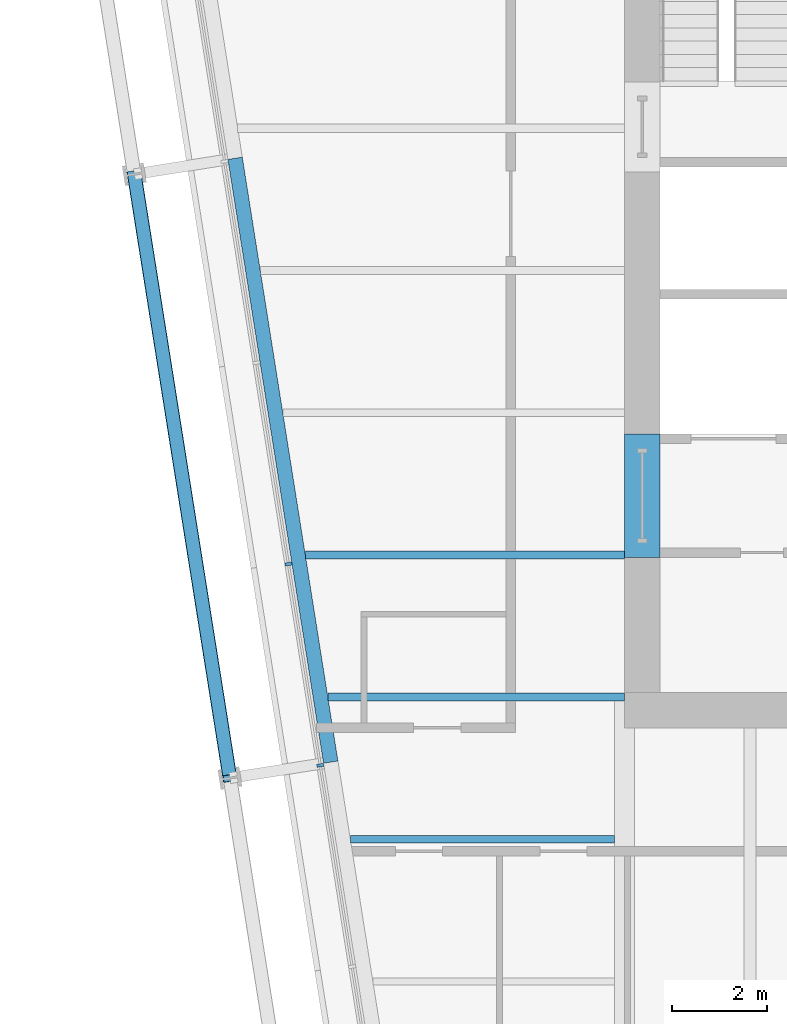
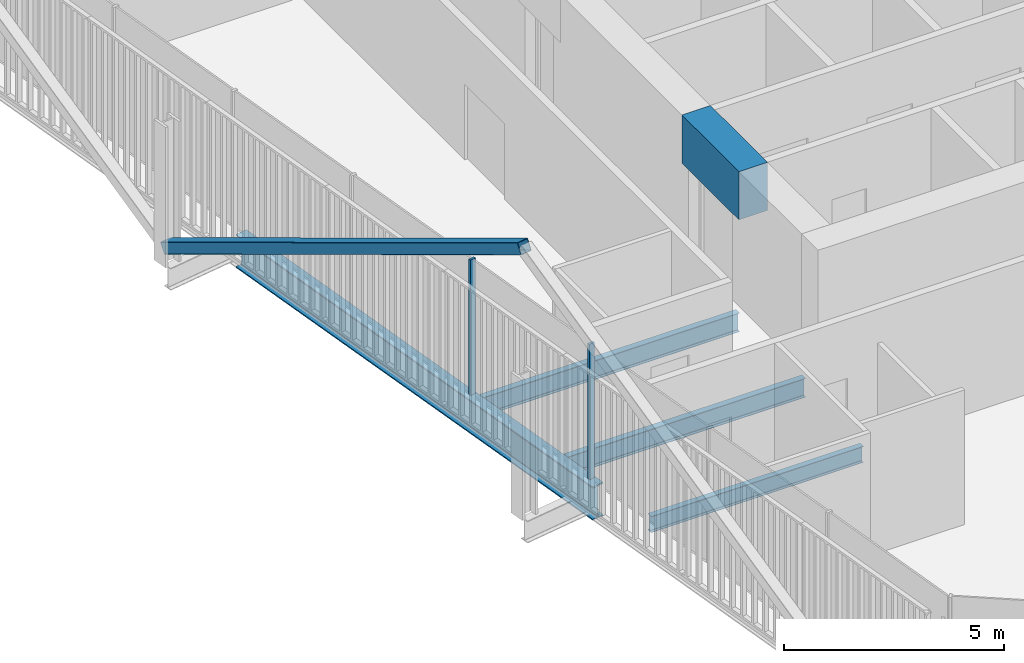
# One storey, part 4 of 22: 5 beams, 3 members, 1 element without a shape of its own.
"""IFC4 building model written with IfcOpenShell, lengths in metres."""

from ifc_helpers import new_model, si_unit, direction, frame, origin, origin_2d, place, context, subcontext, project, spatial, rectangle, hollow_rectangle, i_section, extrude, material, layer, layer_set, material_profile, profile_set, type_object, element, aggregate, save


model = new_model("IFC4")

# Units and contexts
model_context = context("Model", 3, precision=1e-05, world=origin(), true_north=direction((0.0, 1.0)))
body_context = subcontext(model_context, "Body", "Model", "MODEL_VIEW")
ifc_project = project(units=[si_unit("LENGTHUNIT", "METRE"), si_unit("AREAUNIT", "SQUARE_METRE"), si_unit("VOLUMEUNIT", "CUBIC_METRE"), si_unit("PLANEANGLEUNIT", "RADIAN"), si_unit("MASSUNIT", "GRAM", prefix="KILO")], contexts=[model_context])

# Site, building, storey
site_placement = place(None, origin())
site = spatial("IfcSite", under=ifc_project, at=site_placement, CompositionType="ELEMENT")
building_placement = place(site_placement, origin())
building = spatial("IfcBuilding", under=site, at=building_placement, Name="Millrace Tower", CompositionType="ELEMENT")
storey_placement = place(building_placement, frame((0.0, 0.0, 160.699951171875)))
storey = spatial("IfcBuildingStorey", under=building, at=storey_placement, Name="L36", CompositionType="ELEMENT", Elevation=160.699951171875)

# Curtain wall, members
ifc_material_1 = material(Name="Aluminium and glass", Category="aluminium")
ifc_layer = layer(ifc_material_1, 0.14990234375)
ifc_layer_set = layer_set([ifc_layer], Name="Aluminium and glass")
curtain_wall_type = type_object("IfcCurtainWallType", Name="CW-1 office vision curtain wall", PredefinedType="NOTDEFINED", material=ifc_layer_set)
curtain_wall_placement = place(storey_placement, origin())
curtain_wall = element("IfcCurtainWall", 1, at=curtain_wall_placement, inside=storey, type_object=curtain_wall_type, Name="Curtain wall C-F08 L36", PredefinedType="NOTDEFINED")
ifc_material_2 = material(Name="Aluminium", Category="aluminium")
ifc_material_profile_1 = material_profile(ifc_material_2, rectangle(XDim=0.06494140625, YDim=0.14990234375, at=origin_2d()))
ifc_profile_set_1 = profile_set([ifc_material_profile_1], Name="Aluminium")
member_type_1 = type_object("IfcMemberType", Name="CW-1 office vision curtain wall mullion", PredefinedType="MULLION", material=ifc_profile_set_1)
member_1_placement = place(storey_placement, frame((-21.743408203125, -6.193603515625, 0.14013671875), z_axis=(0.0, 0.0, 1.0), x_axis=(0.15643447328, -0.98768833929, 0.0)))
member_1 = element("IfcMember", 2, at=member_1_placement, type_object=member_type_1, Name="CW1 mullion C-F08.6", PredefinedType="MULLION", context=body_context, shape_type="SweptSolid", body=[
    extrude(rectangle(XDim=0.06494140625, YDim=0.14990234375, at=origin_2d()), origin(), (0.0, 0.0, 1.0), 3.760009765625),
])
member_2_placement = place(storey_placement, frame((-21.070556640625, -10.440673828125, 0.14013671875), z_axis=(0.0, 0.0, 1.0), x_axis=(0.15643447328, -0.98768833929, 0.0)))
member_2 = element("IfcMember", 3, at=member_2_placement, type_object=member_type_1, Name="CW1 mullion C-F08.7", PredefinedType="MULLION", context=body_context, shape_type="SweptSolid", body=[
    extrude(rectangle(XDim=0.06494140625, YDim=0.14990234375, at=origin_2d()), origin(), (0.0, 0.0, 1.0), 3.760009765625),
])
aggregate(curtain_wall, [member_1, member_2])

# Beam
ifc_material_3 = material(Name="Concrete C70", Category="concrete")
ifc_material_profile_2 = material_profile(ifc_material_3, rectangle(XDim=0.75, YDim=1.340087890625, at=origin_2d()))
ifc_profile_set_2 = profile_set([ifc_material_profile_2], Name="Concrete C70")
beam_type_1 = type_object("IfcBeamType", Name="Coupling beam 750 x 1340 Concrete C70, 2000 opening", PredefinedType="BEAM", material=ifc_profile_set_2)
beam_1_placement = place(storey_placement, frame((-14.27490234375, -6.050048828125, 3.070068359375), z_axis=(0.0, 1.0, 0.0), x_axis=(-1.0, 0.0, 0.0)))
element("IfcBeam", 4, at=beam_1_placement, inside=storey, type_object=beam_type_1, Name="Coupling beam W L36", PredefinedType="BEAM", context=body_context, shape_type="SweptSolid", body=[
    extrude(rectangle(XDim=0.75, YDim=1.340087890625, at=origin_2d()), origin(), (0.0, 0.0, 1.0), 2.60009765625),
])

# Member
ifc_material_4 = material(Name="Steel ASTM A500 Grade C", Category="steel")
ifc_material_profile_3 = material_profile(ifc_material_4, hollow_rectangle(XDim=0.3046875, YDim=0.3046875, WallThickness=0.0126953125, InnerFilletRadius=0.00634765625, OuterFilletRadius=0.01904296875, at=origin_2d()))
ifc_profile_set_3 = profile_set([ifc_material_profile_3], Name="Steel ASTM A500 Grade C")
member_type_2 = type_object("IfcMemberType", Name="Exoskeleton brace HSS12x12x1/2", PredefinedType="BRACE", material=ifc_profile_set_3)
member_3_placement = place(storey_placement, frame((-24.9951171875, 2.031494140625, 0.400146484375), z_axis=(0.137499609887, -0.868113917345, 0.476940335673), x_axis=(0.987687659758, 0.156438763615, 0.0)))
element("IfcMember", 5, at=member_3_placement, inside=storey, type_object=member_type_2, Name="BRC-C-L36-15", PredefinedType="BRACE", context=body_context, shape_type="SweptSolid", body=[
    extrude(hollow_rectangle(XDim=0.3046875, YDim=0.3046875, WallThickness=0.0126953125, InnerFilletRadius=0.00634765625, OuterFilletRadius=0.01904296875, at=origin_2d()), origin(), (0.0, 0.0, 1.0), 14.677001953125),
])

# Beams
ifc_material_5 = material(Name="Steel ASTM A992 Grade 50", Category="steel")
ifc_material_profile_4 = material_profile(ifc_material_5, i_section(OverallWidth=0.15234375, OverallDepth=0.449462890625, WebThickness=0.007568359375, FlangeThickness=0.0107421875, FilletRadius=0.01025390625, at=origin_2d()))
ifc_profile_set_4 = profile_set([ifc_material_profile_4], Name="Steel ASTM A992 Grade 50")
beam_type_2 = type_object("IfcBeamType", Name="Floor beam W18x35", PredefinedType="JOIST", material=ifc_profile_set_4)
beam_2_placement = place(storey_placement, frame((-20.4365234375, -12.0, -0.384765625), z_axis=(1.0, 0.0, 0.0), x_axis=(0.0, 1.0, 0.0)))
element("IfcBeam", 6, at=beam_2_placement, inside=storey, type_object=beam_type_2, Name="BM-C-L36-S1-S008", PredefinedType="JOIST", context=body_context, shape_type="SweptSolid", body=[
    extrude(i_section(OverallWidth=0.15234375, OverallDepth=0.449462890625, WebThickness=0.007568359375, FlangeThickness=0.0107421875, FilletRadius=0.01025390625, at=origin_2d()), origin(), (0.0, 0.0, 1.0), 5.576904296875),
])
ifc_material_6 = material(Name="Steel ASTM A992 Grade 50", Category="steel")
ifc_material_profile_5 = material_profile(ifc_material_6, i_section(OverallWidth=0.1650390625, OverallDepth=0.52587890625, WebThickness=0.0087890625, FlangeThickness=0.011474609375, FilletRadius=0.0126953125, at=origin_2d()))
ifc_profile_set_5 = profile_set([ifc_material_profile_5], Name="Steel ASTM A992 Grade 50")
beam_type_3 = type_object("IfcBeamType", Name="Floor beam W21x44", PredefinedType="JOIST", material=ifc_profile_set_5)
beam_3_placement = place(storey_placement, frame((-20.91162109375, -9.0, -0.4228515625), z_axis=(1.0, 0.0, 0.0), x_axis=(0.0, 1.0, 0.0)))
element("IfcBeam", 7, at=beam_3_placement, inside=storey, type_object=beam_type_3, Name="BM-C-L36-S1-S011", PredefinedType="JOIST", context=body_context, shape_type="SweptSolid", body=[
    extrude(i_section(OverallWidth=0.1650390625, OverallDepth=0.52587890625, WebThickness=0.0087890625, FlangeThickness=0.011474609375, FilletRadius=0.0126953125, at=origin_2d()), origin(), (0.0, 0.0, 1.0), 6.26171875),
])
beam_4_placement = place(storey_placement, frame((-21.386962890625, -6.0, -0.4228515625), z_axis=(1.0, 0.0, 0.0), x_axis=(0.0, 1.0, 0.0)))
element("IfcBeam", 8, at=beam_4_placement, inside=storey, type_object=beam_type_3, Name="BM-C-L36-S1-S014", PredefinedType="JOIST", context=body_context, shape_type="SweptSolid", body=[
    extrude(i_section(OverallWidth=0.1650390625, OverallDepth=0.52587890625, WebThickness=0.0087890625, FlangeThickness=0.011474609375, FilletRadius=0.0126953125, at=origin_2d()), origin(), (0.0, 0.0, 1.0), 6.737060546875),
])
ifc_material_7 = material(Name="Steel ASTM A992 Grade 50", Category="steel")
ifc_material_profile_6 = material_profile(ifc_material_7, i_section(OverallWidth=0.307373046875, OverallDepth=0.927001953125, WebThickness=0.01953125, FlangeThickness=0.031982421875, FilletRadius=0.01904296875, at=origin_2d()))
ifc_profile_set_6 = profile_set([ifc_material_profile_6], Name="Steel ASTM A992 Grade 50")
beam_type_4 = type_object("IfcBeamType", Name="Ring beam medium span W36x194", PredefinedType="SPANDREL", material=ifc_profile_set_6)
beam_5_placement = place(storey_placement, frame((-20.849853515625, -10.372802734375, -0.62353515625), z_axis=(-0.156438763615, 0.987687659758, 0.0), x_axis=(-0.987687659758, -0.156438763615, 0.0)))
element("IfcBeam", 9, at=beam_5_placement, inside=storey, type_object=beam_type_4, Name="RNG-C-L36-S1-02", PredefinedType="SPANDREL", context=body_context, shape_type="SweptSolid", body=[
    extrude(i_section(OverallWidth=0.307373046875, OverallDepth=0.927001953125, WebThickness=0.01953125, FlangeThickness=0.031982421875, FilletRadius=0.01904296875, at=origin_2d()), origin(), (0.0, 0.0, 1.0), 12.900146484375),
])

save(model, "model.ifc")
